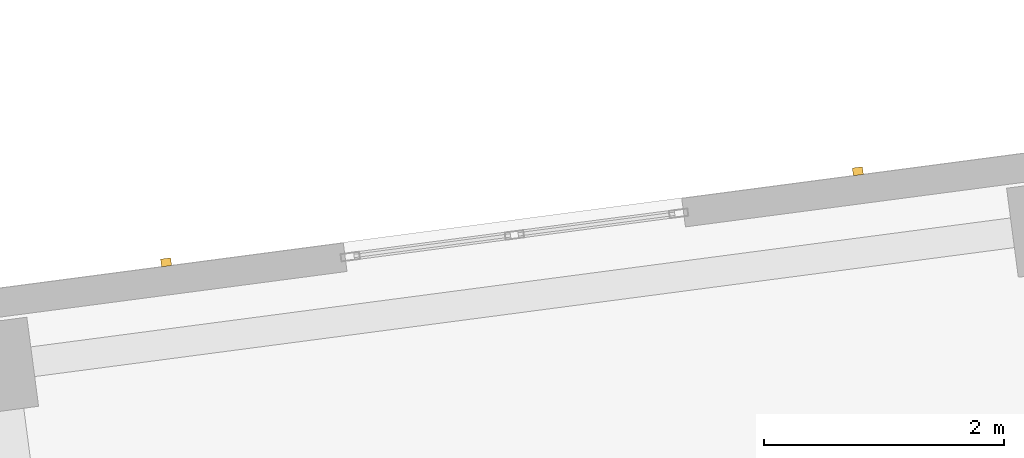
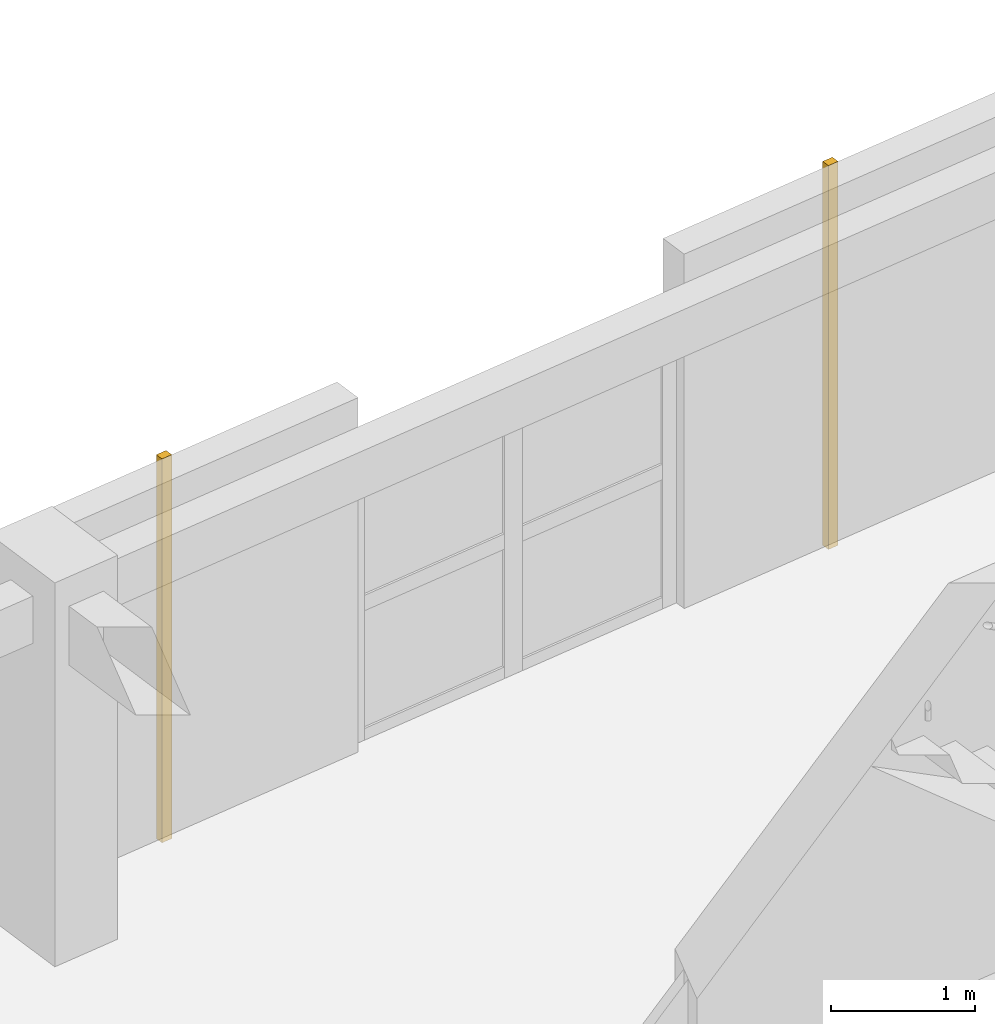
# One storey, part 57 of 74: 2 coverings.
"""IFC4 building model written with IfcOpenShell, lengths in metres."""

from ifc_helpers import new_model, si_unit, direction, frame, origin, origin_2d, place, context, subcontext, project, spatial, rectangle, extrude, material, layer, layer_set, type_object, element, save


model = new_model("IFC4")

# Units and contexts
model_context = context("Model", 3, precision=1e-05, world=origin(), true_north=direction((0.0, 1.0)))
body_context = subcontext(model_context, "Body", "Model", "MODEL_VIEW")
ifc_project = project(units=[si_unit("LENGTHUNIT", "METRE"), si_unit("AREAUNIT", "SQUARE_METRE"), si_unit("VOLUMEUNIT", "CUBIC_METRE"), si_unit("PLANEANGLEUNIT", "RADIAN"), si_unit("MASSUNIT", "GRAM", prefix="KILO")], contexts=[model_context])

# Site, building, storey
site_placement = place(None, origin())
site = spatial("IfcSite", under=ifc_project, at=site_placement, CompositionType="ELEMENT")
building_placement = place(site_placement, origin())
building = spatial("IfcBuilding", under=site, at=building_placement, Name="Kestramere Prow Commons", CompositionType="ELEMENT")
storey_placement = place(building_placement, frame((0.0, 0.0, 11.64990234375)))
storey = spatial("IfcBuildingStorey", under=building, at=storey_placement, Name="L03", CompositionType="ELEMENT", Elevation=11.64990234375)

# Coverings
ifc_material = material(Name="Weathered Zinc-Titanium Standing-Seam Cladding")
ifc_layer = layer(ifc_material, 0.074951171875)
ifc_layer_set = layer_set([ifc_layer], Name="Weathered Zinc-Titanium Standing-Seam Cladding")
covering_type = type_object("IfcCoveringType", Name="COV-CLAD-SEAM", PredefinedType="CLADDING", material=ifc_layer_set)
for number, where, z_axis, x_axis, name in (
    (1, (27.42529296875, 94.991943359375, -0.25), (0.0, 0.0, 1.0), (0.991444861374, 0.13052619222, 0.0), "EW-A-L03-NP-2-L Standing-Seam Rib 1"),
    (2, (33.200439453125, 95.75244140625, -0.25), (0.0, 0.0, 1.0), (0.991444861374, 0.13052619222, 0.0), "EW-A-L03-NP-2-R Standing-Seam Rib 1"),
):
    element("IfcCovering", number, at=place(storey_placement, frame(where, z_axis=z_axis, x_axis=x_axis)), inside=storey, type_object=covering_type, Name=name, PredefinedType="CLADDING", context=body_context, shape_type="SweptSolid", body=[
        extrude(rectangle(XDim=0.0849609375, YDim=0.06494140625, at=origin_2d()), origin(), (0.0, 0.0, 1.0), 3.25),
    ])

save(model, "model.ifc")
